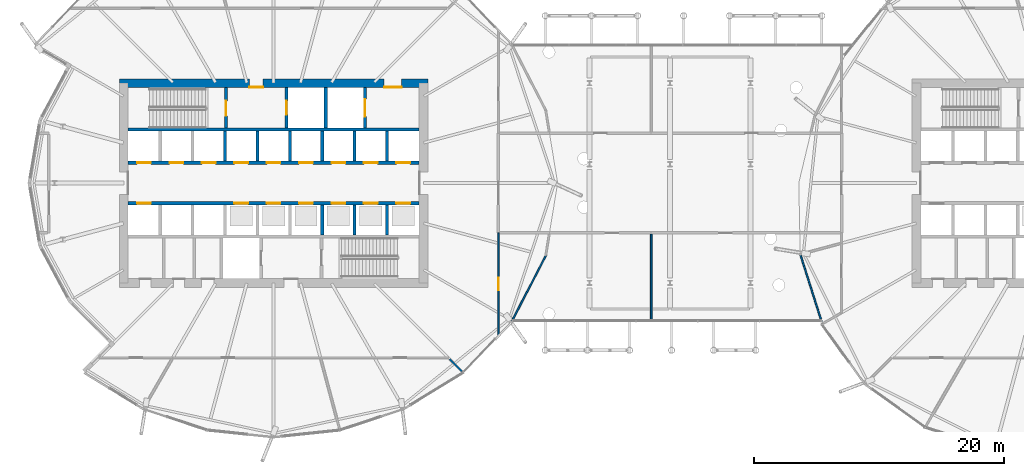
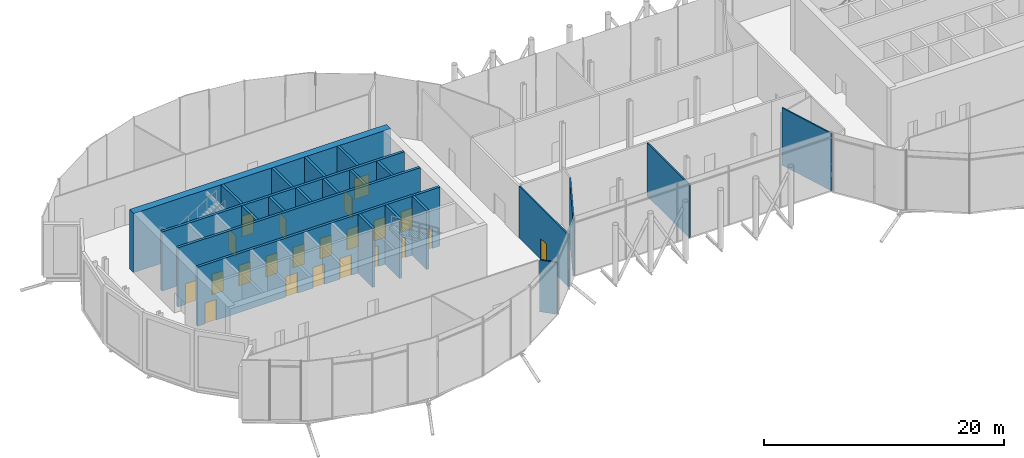
# One storey, part 20 of 38: 22 doors, 22 walls, 22 openings.
"""IFC4 building model written with IfcOpenShell, lengths in metres."""

from ifc_helpers import new_model, si_unit, direction, frame, frame_2d, origin, place, context, subcontext, project, spatial, rectangle, extrude, material, layer, layer_set, type_object, element, fill, save


model = new_model("IFC4")

# Units and contexts
model_context = context("Model", 3, precision=1e-05, world=origin(), true_north=direction((0.0, 1.0)))
body_context = subcontext(model_context, "Body", "Model", "MODEL_VIEW")
ifc_project = project(units=[si_unit("LENGTHUNIT", "METRE"), si_unit("AREAUNIT", "SQUARE_METRE"), si_unit("VOLUMEUNIT", "CUBIC_METRE"), si_unit("PLANEANGLEUNIT", "RADIAN"), si_unit("MASSUNIT", "GRAM", prefix="KILO")], contexts=[model_context])

# Site, building, storey
site_placement = place(None, origin())
site = spatial("IfcSite", under=ifc_project, at=site_placement, CompositionType="ELEMENT")
building_placement = place(site_placement, origin())
building = spatial("IfcBuilding", under=site, at=building_placement, Name="Rimbun Link Towers", CompositionType="ELEMENT")
storey_placement = place(building_placement, frame((0.0, 0.0, 133.199951171875)))
storey = spatial("IfcBuildingStorey", under=building, at=storey_placement, Name="L32", CompositionType="ELEMENT", Elevation=133.199951171875)

# Wall, openings, doors
ifc_material_1 = material(Name="Concrete C60/75", Category="concrete")
ifc_layer_1 = layer(ifc_material_1, 0.699951171875)
ifc_layer_set_1 = layer_set([ifc_layer_1], Name="Core shear wall 700")
wall_type_1 = type_object("IfcWallType", Name="Core shear wall 700", PredefinedType="SHEAR", material=ifc_layer_set_1)
wall_1_placement = place(storey_placement, frame((-44.10009765625, 8.0, 0.0), z_axis=(0.0, 0.0, 1.0), x_axis=(1.0, 0.0, 0.0)))
wall_1 = element("IfcWall", 1, at=wall_1_placement, inside=storey, type_object=wall_type_1, Name="L32 T1 core wall N", PredefinedType="SHEAR", context=body_context, shape_type="SweptSolid", body=[
    extrude(rectangle(XDim=24.7001953125, YDim=0.699951171875, at=frame_2d((12.35009765625, 0.0))), origin(), (0.0, 0.0, 1.0), 6.0),
])
opening_1_placement = place(wall_1_placement, frame((10.39990234375, 0.0, 0.0)))
opening_1 = element("IfcOpeningElement", 2, at=opening_1_placement, cuts=wall_1, Name="Opening C1DCF01N", PredefinedType="OPENING", context=body_context, shape_type="SweptSolid", body=[
    extrude(rectangle(XDim=1.10009765625, YDim=2.10009765625, at=frame_2d((0.550048828125, 1.050048828125))), frame((0.0, 0.35986328125, 0.0), z_axis=(0.0, -1.0, 0.0), x_axis=(1.0, 0.0, 0.0)), (0.0, 0.0, 1.0), 0.719970703125),
])
opening_2_placement = place(wall_1_placement, frame((21.199951171875, 0.0, 0.0)))
opening_2 = element("IfcOpeningElement", 3, at=opening_2_placement, cuts=wall_1, Name="Opening C1DSL02N", PredefinedType="OPENING", context=body_context, shape_type="SweptSolid", body=[
    extrude(rectangle(XDim=1.39990234375, YDim=2.10009765625, at=frame_2d((0.699951171875, 1.050048828125))), frame((0.0, 0.35986328125, 0.0), z_axis=(0.0, -1.0, 0.0), x_axis=(1.0, 0.0, 0.0)), (0.0, 0.0, 1.0), 0.719970703125),
])
ifc_material_2 = material(Name="Steel fire door set", Category="steel")
door_type_1 = type_object("IfcDoorType", Name="Core fire door single", OperationType="SINGLE_SWING_LEFT", PredefinedType="DOOR", material=ifc_material_2)
door_1_placement = place(opening_1_placement, origin())
door_1 = element("IfcDoor", 4, at=door_1_placement, inside=storey, type_object=door_type_1, Name="L32 T1 firefighting lobby n door", OperationType="SINGLE_SWING_LEFT", OverallHeight=2.10009765625, OverallWidth=1.10009765625, PredefinedType="DOOR", context=body_context, shape_type="SweptSolid", body=[
    extrude(rectangle(XDim=1.10009765625, YDim=2.10009765625, at=frame_2d((0.550048828125, 1.050048828125))), frame((0.0, -0.2998046875, 0.0), z_axis=(0.0, -1.0, 0.0), x_axis=(1.0, 0.0, 0.0)), (0.0, 0.0, 1.0), 0.050048828125),
])
fill(opening_1, door_1)
ifc_material_3 = material(Name="Steel fire door set", Category="steel")
door_type_2 = type_object("IfcDoorType", Name="Service lobby door double", OperationType="DOUBLE_DOOR_SINGLE_SWING", PredefinedType="DOOR", material=ifc_material_3)
door_2_placement = place(opening_2_placement, origin())
door_2 = element("IfcDoor", 5, at=door_2_placement, inside=storey, type_object=door_type_2, Name="L32 T1 service lobby door", OperationType="DOUBLE_DOOR_SINGLE_SWING", OverallHeight=2.10009765625, OverallWidth=1.39990234375, PredefinedType="DOOR", context=body_context, shape_type="SweptSolid", body=[
    extrude(rectangle(XDim=1.39990234375, YDim=2.10009765625, at=frame_2d((0.699951171875, 1.050048828125))), frame((0.0, -0.2998046875, 0.0), z_axis=(0.0, -1.0, 0.0), x_axis=(1.0, 0.0, 0.0)), (0.0, 0.0, 1.0), 0.050048828125),
])
fill(opening_2, door_2)

# Wall
ifc_material_4 = material(Name="Gypsum board on steel studs", Category="steel")
ifc_layer_2 = layer(ifc_material_4, 0.125)
ifc_layer_set_2 = layer_set([ifc_layer_2], Name="Partition 125 board on studs")
wall_type_2 = type_object("IfcWallType", Name="Partition 125 board on studs", PredefinedType="PARTITIONING", material=ifc_layer_set_2)
wall_2_placement = place(storey_placement, frame((-17.643310546875, -14.106689453125, 0.0), z_axis=(0.0, 0.0, 1.0), x_axis=(0.707106781187, -0.707106781187, 0.0)))
element("IfcWall", 6, at=wall_2_placement, inside=storey, type_object=wall_type_2, Name="TW/PW/L32/012", PredefinedType="PARTITIONING", context=body_context, shape_type="SweptSolid", body=[
    extrude(rectangle(XDim=1.4814453125, YDim=0.125, at=frame_2d((0.74072265625, 0.0))), origin(), (0.0, 0.0, 1.0), 5.26708984375),
])

# Wall, opening, door
wall_3_placement = place(storey_placement, frame((-13.75, -12.185791015625, 0.0), z_axis=(0.0, 0.0, 1.0), x_axis=(0.0, 1.0, 0.0)))
wall_3 = element("IfcWall", 7, at=wall_3_placement, inside=storey, type_object=wall_type_2, Name="TW/PW/L32/013", PredefinedType="PARTITIONING", context=body_context, shape_type="SweptSolid", body=[
    extrude(rectangle(XDim=8.185791015625, YDim=0.125, at=frame_2d((4.0927734375, 0.0))), origin(), (0.0, 0.0, 1.0), 5.26708984375),
])
opening_3_placement = place(wall_3_placement, frame((3.593017578125, 0.0, 0.0)))
opening_3 = element("IfcOpeningElement", 8, at=opening_3_placement, cuts=wall_3, Name="Opening TW D32.04", PredefinedType="OPENING", context=body_context, shape_type="SweptSolid", body=[
    extrude(rectangle(XDim=1.0, YDim=2.10009765625, at=frame_2d((0.5, 1.050048828125))), frame((0.0, 0.072509765625, 0.0), z_axis=(0.0, -1.0, 0.0), x_axis=(1.0, 0.0, 0.0)), (0.0, 0.0, 1.0), 0.14501953125),
])
ifc_material_5 = material(Name="Timber door set", Category="wood")
door_type_3 = type_object("IfcDoorType", Name="Door single leaf 1000 x 2100", OperationType="NOTDEFINED", PredefinedType="DOOR", material=ifc_material_5)
door_3_placement = place(opening_3_placement, origin())
door_3 = element("IfcDoor", 9, at=door_3_placement, inside=storey, type_object=door_type_3, Name="TW/DR/L32/004", OperationType="SINGLE_SWING_LEFT", OverallHeight=2.10009765625, OverallWidth=1.0, PredefinedType="DOOR", context=body_context, shape_type="SweptSolid", body=[
    extrude(rectangle(XDim=1.0, YDim=2.10009765625, at=frame_2d((0.5, 1.050048828125))), frame((0.0, 0.02490234375, 0.0), z_axis=(0.0, -1.0, 0.0), x_axis=(1.0, 0.0, 0.0)), (0.0, 0.0, 1.0), 0.050048828125),
])
fill(opening_3, door_3)

# Walls
wall_4_placement = place(storey_placement, frame((-12.663818359375, -11.071044921875, 0.0), z_axis=(0.0, 0.0, 1.0), x_axis=(0.459568637938, 0.888142256074, 0.0)))
element("IfcWall", 10, at=wall_4_placement, inside=storey, type_object=wall_type_2, Name="TW/PW/L32/022", PredefinedType="PARTITIONING", context=body_context, shape_type="SweptSolid", body=[
    extrude(rectangle(XDim=5.970703125, YDim=0.125, at=frame_2d((2.9853515625, 0.0))), origin(), (0.0, 0.0, 1.0), 5.820068359375),
])
wall_5_placement = place(storey_placement, frame((10.458984375, -5.772705078125, 0.0), z_axis=(0.0, 0.0, 1.0), x_axis=(0.303049740081, -0.952974739978, 0.0)))
element("IfcWall", 11, at=wall_5_placement, inside=storey, type_object=wall_type_2, Name="TW/PW/L32/043", PredefinedType="PARTITIONING", context=body_context, shape_type="SweptSolid", body=[
    extrude(rectangle(XDim=5.565185546875, YDim=0.125, at=frame_2d((2.78271484375, 0.0))), origin(), (0.0, 0.0, 1.0), 5.820068359375),
])
wall_6_placement = place(storey_placement, frame((-1.5, -11.080078125, 0.0), z_axis=(0.0, 0.0, 1.0), x_axis=(0.0, 1.0, 0.0)))
element("IfcWall", 12, at=wall_6_placement, inside=storey, type_object=wall_type_2, Name="TW/PW/L32/051", PredefinedType="PARTITIONING", context=body_context, shape_type="SweptSolid", body=[
    extrude(rectangle(XDim=6.97998046875, YDim=0.125, at=frame_2d((3.489990234375, 0.0))), origin(), (0.0, 0.0, 1.0), 5.4140625),
])
ifc_material_6 = material(Name="Concrete C60/75", Category="concrete")
ifc_layer_3 = layer(ifc_material_6, 0.25)
ifc_layer_set_3 = layer_set([ifc_layer_3], Name="Shaft wall 250")
wall_type_3 = type_object("IfcWallType", Name="Shaft wall 250", PredefinedType="SHEAR", material=ifc_layer_set_3)
wall_7_placement = place(storey_placement, frame((-43.39990234375, 4.27490234375, 0.0), z_axis=(0.0, 0.0, 1.0), x_axis=(1.0, 0.0, 0.0)))
element("IfcWall", 13, at=wall_7_placement, inside=storey, type_object=wall_type_3, Name="L32 T1 core wall BN", PredefinedType="SHEAR", context=body_context, shape_type="SweptSolid", body=[
    extrude(rectangle(XDim=23.2998046875, YDim=0.25, at=frame_2d((11.64990234375, 0.0))), origin(), (0.0, 0.0, 1.0), 6.0),
])

# Wall, openings, doors
wall_8_placement = place(storey_placement, frame((-43.39990234375, 1.625, 0.0), z_axis=(0.0, 0.0, 1.0), x_axis=(1.0, 0.0, 0.0)))
wall_8 = element("IfcWall", 14, at=wall_8_placement, inside=storey, type_object=wall_type_3, Name="L32 T1 core wall FN", PredefinedType="SHEAR", context=body_context, shape_type="SweptSolid", body=[
    extrude(rectangle(XDim=23.2998046875, YDim=0.25, at=frame_2d((11.64990234375, 0.0))), origin(), (0.0, 0.0, 1.0), 6.0),
])
opening_4_placement = place(wall_8_placement, frame((0.72216796875, 0.0, 0.0)))
opening_4 = element("IfcOpeningElement", 15, at=opening_4_placement, cuts=wall_8, Name="Opening LD-T1-LR1", PredefinedType="OPENING", context=body_context, shape_type="SweptSolid", body=[
    extrude(rectangle(XDim=1.10009765625, YDim=2.10009765625, at=frame_2d((0.550048828125, 1.050048828125))), frame((0.0, 0.135009765625, 0.0), z_axis=(0.0, -1.0, 0.0), x_axis=(1.0, 0.0, 0.0)), (0.0, 0.0, 1.0), 0.27001953125),
])
opening_5_placement = place(wall_8_placement, frame((3.316650390625, 0.0, 0.0)))
opening_5 = element("IfcOpeningElement", 16, at=opening_5_placement, cuts=wall_8, Name="Opening LD-T1-LR2", PredefinedType="OPENING", context=body_context, shape_type="SweptSolid", body=[
    extrude(rectangle(XDim=1.10009765625, YDim=2.10009765625, at=frame_2d((0.550048828125, 1.050048828125))), frame((0.0, 0.135009765625, 0.0), z_axis=(0.0, -1.0, 0.0), x_axis=(1.0, 0.0, 0.0)), (0.0, 0.0, 1.0), 0.27001953125),
])
opening_6_placement = place(wall_8_placement, frame((5.9111328125, 0.0, 0.0)))
opening_6 = element("IfcOpeningElement", 17, at=opening_6_placement, cuts=wall_8, Name="Opening LD-T1-LR3", PredefinedType="OPENING", context=body_context, shape_type="SweptSolid", body=[
    extrude(rectangle(XDim=1.10009765625, YDim=2.10009765625, at=frame_2d((0.550048828125, 1.050048828125))), frame((0.0, 0.135009765625, 0.0), z_axis=(0.0, -1.0, 0.0), x_axis=(1.0, 0.0, 0.0)), (0.0, 0.0, 1.0), 0.27001953125),
])
opening_7_placement = place(wall_8_placement, frame((8.505615234375, 0.0, 0.0)))
opening_7 = element("IfcOpeningElement", 18, at=opening_7_placement, cuts=wall_8, Name="Opening LD-T1-LR4", PredefinedType="OPENING", context=body_context, shape_type="SweptSolid", body=[
    extrude(rectangle(XDim=1.10009765625, YDim=2.10009765625, at=frame_2d((0.550048828125, 1.050048828125))), frame((0.0, 0.135009765625, 0.0), z_axis=(0.0, -1.0, 0.0), x_axis=(1.0, 0.0, 0.0)), (0.0, 0.0, 1.0), 0.27001953125),
])
opening_8_placement = place(wall_8_placement, frame((11.10009765625, 0.0, 0.0)))
opening_8 = element("IfcOpeningElement", 19, at=opening_8_placement, cuts=wall_8, Name="Opening LD-T1-LR5", PredefinedType="OPENING", context=body_context, shape_type="SweptSolid", body=[
    extrude(rectangle(XDim=1.10009765625, YDim=2.10009765625, at=frame_2d((0.550048828125, 1.050048828125))), frame((0.0, 0.135009765625, 0.0), z_axis=(0.0, -1.0, 0.0), x_axis=(1.0, 0.0, 0.0)), (0.0, 0.0, 1.0), 0.27001953125),
])
opening_9_placement = place(wall_8_placement, frame((13.6943359375, 0.0, 0.0)))
opening_9 = element("IfcOpeningElement", 20, at=opening_9_placement, cuts=wall_8, Name="Opening LD-T1-LR6", PredefinedType="OPENING", context=body_context, shape_type="SweptSolid", body=[
    extrude(rectangle(XDim=1.10009765625, YDim=2.10009765625, at=frame_2d((0.550048828125, 1.050048828125))), frame((0.0, 0.135009765625, 0.0), z_axis=(0.0, -1.0, 0.0), x_axis=(1.0, 0.0, 0.0)), (0.0, 0.0, 1.0), 0.27001953125),
])
opening_10_placement = place(wall_8_placement, frame((16.288818359375, 0.0, 0.0)))
opening_10 = element("IfcOpeningElement", 21, at=opening_10_placement, cuts=wall_8, Name="Opening LD-T1-SH1", PredefinedType="OPENING", context=body_context, shape_type="SweptSolid", body=[
    extrude(rectangle(XDim=1.10009765625, YDim=2.10009765625, at=frame_2d((0.550048828125, 1.050048828125))), frame((0.0, 0.135009765625, 0.0), z_axis=(0.0, -1.0, 0.0), x_axis=(1.0, 0.0, 0.0)), (0.0, 0.0, 1.0), 0.27001953125),
])
opening_11_placement = place(wall_8_placement, frame((18.88330078125, 0.0, 0.0)))
opening_11 = element("IfcOpeningElement", 22, at=opening_11_placement, cuts=wall_8, Name="Opening LD-T1-SH2", PredefinedType="OPENING", context=body_context, shape_type="SweptSolid", body=[
    extrude(rectangle(XDim=1.10009765625, YDim=2.10009765625, at=frame_2d((0.550048828125, 1.050048828125))), frame((0.0, 0.135009765625, 0.0), z_axis=(0.0, -1.0, 0.0), x_axis=(1.0, 0.0, 0.0)), (0.0, 0.0, 1.0), 0.27001953125),
])
opening_12_placement = place(wall_8_placement, frame((21.477783203125, 0.0, 0.0)))
opening_12 = element("IfcOpeningElement", 23, at=opening_12_placement, cuts=wall_8, Name="Opening LD-T1-SH3", PredefinedType="OPENING", context=body_context, shape_type="SweptSolid", body=[
    extrude(rectangle(XDim=1.10009765625, YDim=2.10009765625, at=frame_2d((0.550048828125, 1.050048828125))), frame((0.0, 0.135009765625, 0.0), z_axis=(0.0, -1.0, 0.0), x_axis=(1.0, 0.0, 0.0)), (0.0, 0.0, 1.0), 0.27001953125),
])
ifc_material_7 = material(Name="Stainless steel grade 316", Category="steel")
door_type_4 = type_object("IfcDoorType", Name="Lift landing door", OperationType="DOUBLE_DOOR_SLIDING", PredefinedType="DOOR", material=ifc_material_7)
door_4_placement = place(opening_4_placement, origin())
door_4 = element("IfcDoor", 24, at=door_4_placement, inside=storey, type_object=door_type_4, Name="L32 T1 lift LR1 landing door", OperationType="DOUBLE_DOOR_SLIDING", OverallHeight=2.10009765625, OverallWidth=1.10009765625, PredefinedType="DOOR", context=body_context, shape_type="SweptSolid", body=[
    extrude(rectangle(XDim=1.10009765625, YDim=2.10009765625, at=frame_2d((0.550048828125, 1.050048828125))), frame((0.0, 0.02490234375, 0.0), z_axis=(0.0, -1.0, 0.0), x_axis=(1.0, 0.0, 0.0)), (0.0, 0.0, 1.0), 0.050048828125),
])
fill(opening_4, door_4)
door_5_placement = place(opening_5_placement, origin())
door_5 = element("IfcDoor", 25, at=door_5_placement, inside=storey, type_object=door_type_4, Name="L32 T1 lift LR2 landing door", OperationType="DOUBLE_DOOR_SLIDING", OverallHeight=2.10009765625, OverallWidth=1.10009765625, PredefinedType="DOOR", context=body_context, shape_type="SweptSolid", body=[
    extrude(rectangle(XDim=1.10009765625, YDim=2.10009765625, at=frame_2d((0.550048828125, 1.050048828125))), frame((0.0, 0.02490234375, 0.0), z_axis=(0.0, -1.0, 0.0), x_axis=(1.0, 0.0, 0.0)), (0.0, 0.0, 1.0), 0.050048828125),
])
fill(opening_5, door_5)
door_6_placement = place(opening_6_placement, origin())
door_6 = element("IfcDoor", 26, at=door_6_placement, inside=storey, type_object=door_type_4, Name="L32 T1 lift LR3 landing door", OperationType="DOUBLE_DOOR_SLIDING", OverallHeight=2.10009765625, OverallWidth=1.10009765625, PredefinedType="DOOR", context=body_context, shape_type="SweptSolid", body=[
    extrude(rectangle(XDim=1.10009765625, YDim=2.10009765625, at=frame_2d((0.550048828125, 1.050048828125))), frame((0.0, 0.02490234375, 0.0), z_axis=(0.0, -1.0, 0.0), x_axis=(1.0, 0.0, 0.0)), (0.0, 0.0, 1.0), 0.050048828125),
])
fill(opening_6, door_6)
door_7_placement = place(opening_7_placement, origin())
door_7 = element("IfcDoor", 27, at=door_7_placement, inside=storey, type_object=door_type_4, Name="L32 T1 lift LR4 landing door", OperationType="DOUBLE_DOOR_SLIDING", OverallHeight=2.10009765625, OverallWidth=1.10009765625, PredefinedType="DOOR", context=body_context, shape_type="SweptSolid", body=[
    extrude(rectangle(XDim=1.10009765625, YDim=2.10009765625, at=frame_2d((0.550048828125, 1.050048828125))), frame((0.0, 0.02490234375, 0.0), z_axis=(0.0, -1.0, 0.0), x_axis=(1.0, 0.0, 0.0)), (0.0, 0.0, 1.0), 0.050048828125),
])
fill(opening_7, door_7)
door_8_placement = place(opening_8_placement, origin())
door_8 = element("IfcDoor", 28, at=door_8_placement, inside=storey, type_object=door_type_4, Name="L32 T1 lift LR5 landing door", OperationType="DOUBLE_DOOR_SLIDING", OverallHeight=2.10009765625, OverallWidth=1.10009765625, PredefinedType="DOOR", context=body_context, shape_type="SweptSolid", body=[
    extrude(rectangle(XDim=1.10009765625, YDim=2.10009765625, at=frame_2d((0.550048828125, 1.050048828125))), frame((0.0, 0.02490234375, 0.0), z_axis=(0.0, -1.0, 0.0), x_axis=(1.0, 0.0, 0.0)), (0.0, 0.0, 1.0), 0.050048828125),
])
fill(opening_8, door_8)
door_9_placement = place(opening_9_placement, origin())
door_9 = element("IfcDoor", 29, at=door_9_placement, inside=storey, type_object=door_type_4, Name="L32 T1 lift LR6 landing door", OperationType="DOUBLE_DOOR_SLIDING", OverallHeight=2.10009765625, OverallWidth=1.10009765625, PredefinedType="DOOR", context=body_context, shape_type="SweptSolid", body=[
    extrude(rectangle(XDim=1.10009765625, YDim=2.10009765625, at=frame_2d((0.550048828125, 1.050048828125))), frame((0.0, 0.02490234375, 0.0), z_axis=(0.0, -1.0, 0.0), x_axis=(1.0, 0.0, 0.0)), (0.0, 0.0, 1.0), 0.050048828125),
])
fill(opening_9, door_9)
door_10_placement = place(opening_10_placement, origin())
door_10 = element("IfcDoor", 30, at=door_10_placement, inside=storey, type_object=door_type_4, Name="L32 T1 lift SH1 landing door", OperationType="DOUBLE_DOOR_SLIDING", OverallHeight=2.10009765625, OverallWidth=1.10009765625, PredefinedType="DOOR", context=body_context, shape_type="SweptSolid", body=[
    extrude(rectangle(XDim=1.10009765625, YDim=2.10009765625, at=frame_2d((0.550048828125, 1.050048828125))), frame((0.0, 0.02490234375, 0.0), z_axis=(0.0, -1.0, 0.0), x_axis=(1.0, 0.0, 0.0)), (0.0, 0.0, 1.0), 0.050048828125),
])
fill(opening_10, door_10)
door_11_placement = place(opening_11_placement, origin())
door_11 = element("IfcDoor", 31, at=door_11_placement, inside=storey, type_object=door_type_4, Name="L32 T1 lift SH2 landing door", OperationType="DOUBLE_DOOR_SLIDING", OverallHeight=2.10009765625, OverallWidth=1.10009765625, PredefinedType="DOOR", context=body_context, shape_type="SweptSolid", body=[
    extrude(rectangle(XDim=1.10009765625, YDim=2.10009765625, at=frame_2d((0.550048828125, 1.050048828125))), frame((0.0, 0.02490234375, 0.0), z_axis=(0.0, -1.0, 0.0), x_axis=(1.0, 0.0, 0.0)), (0.0, 0.0, 1.0), 0.050048828125),
])
fill(opening_11, door_11)
door_12_placement = place(opening_12_placement, origin())
door_12 = element("IfcDoor", 32, at=door_12_placement, inside=storey, type_object=door_type_4, Name="L32 T1 lift SH3 landing door", OperationType="DOUBLE_DOOR_SLIDING", OverallHeight=2.10009765625, OverallWidth=1.10009765625, PredefinedType="DOOR", context=body_context, shape_type="SweptSolid", body=[
    extrude(rectangle(XDim=1.10009765625, YDim=2.10009765625, at=frame_2d((0.550048828125, 1.050048828125))), frame((0.0, 0.02490234375, 0.0), z_axis=(0.0, -1.0, 0.0), x_axis=(1.0, 0.0, 0.0)), (0.0, 0.0, 1.0), 0.050048828125),
])
fill(opening_12, door_12)

wall_9_placement = place(storey_placement, frame((-43.39990234375, -1.625, 0.0), z_axis=(0.0, 0.0, 1.0), x_axis=(1.0, 0.0, 0.0)))
wall_9 = element("IfcWall", 33, at=wall_9_placement, inside=storey, type_object=wall_type_3, Name="L32 T1 core wall FS", PredefinedType="SHEAR", context=body_context, shape_type="SweptSolid", body=[
    extrude(rectangle(XDim=23.2998046875, YDim=0.25, at=frame_2d((11.64990234375, 0.0))), origin(), (0.0, 0.0, 1.0), 6.0),
])
opening_13_placement = place(wall_9_placement, frame((0.72216796875, 0.0, 0.0)))
opening_13 = element("IfcOpeningElement", 34, at=opening_13_placement, cuts=wall_9, Name="Opening LD-T1-SH4", PredefinedType="OPENING", context=body_context, shape_type="SweptSolid", body=[
    extrude(rectangle(XDim=1.10009765625, YDim=2.10009765625, at=frame_2d((0.550048828125, 1.050048828125))), frame((0.0, 0.135009765625, 0.0), z_axis=(0.0, -1.0, 0.0), x_axis=(1.0, 0.0, 0.0)), (0.0, 0.0, 1.0), 0.27001953125),
])
opening_14_placement = place(wall_9_placement, frame((8.505615234375, 0.0, 0.0)))
opening_14 = element("IfcOpeningElement", 35, at=opening_14_placement, cuts=wall_9, Name="Opening LD-T1-HR1", PredefinedType="OPENING", context=body_context, shape_type="SweptSolid", body=[
    extrude(rectangle(XDim=1.10009765625, YDim=2.10009765625, at=frame_2d((0.550048828125, 1.050048828125))), frame((0.0, 0.135009765625, 0.0), z_axis=(0.0, -1.0, 0.0), x_axis=(1.0, 0.0, 0.0)), (0.0, 0.0, 1.0), 0.27001953125),
])
opening_15_placement = place(wall_9_placement, frame((11.10009765625, 0.0, 0.0)))
opening_15 = element("IfcOpeningElement", 36, at=opening_15_placement, cuts=wall_9, Name="Opening LD-T1-HR2", PredefinedType="OPENING", context=body_context, shape_type="SweptSolid", body=[
    extrude(rectangle(XDim=1.10009765625, YDim=2.10009765625, at=frame_2d((0.550048828125, 1.050048828125))), frame((0.0, 0.135009765625, 0.0), z_axis=(0.0, -1.0, 0.0), x_axis=(1.0, 0.0, 0.0)), (0.0, 0.0, 1.0), 0.27001953125),
])
opening_16_placement = place(wall_9_placement, frame((13.6943359375, 0.0, 0.0)))
opening_16 = element("IfcOpeningElement", 37, at=opening_16_placement, cuts=wall_9, Name="Opening LD-T1-HR3", PredefinedType="OPENING", context=body_context, shape_type="SweptSolid", body=[
    extrude(rectangle(XDim=1.10009765625, YDim=2.10009765625, at=frame_2d((0.550048828125, 1.050048828125))), frame((0.0, 0.135009765625, 0.0), z_axis=(0.0, -1.0, 0.0), x_axis=(1.0, 0.0, 0.0)), (0.0, 0.0, 1.0), 0.27001953125),
])
opening_17_placement = place(wall_9_placement, frame((16.288818359375, 0.0, 0.0)))
opening_17 = element("IfcOpeningElement", 38, at=opening_17_placement, cuts=wall_9, Name="Opening LD-T1-HR4", PredefinedType="OPENING", context=body_context, shape_type="SweptSolid", body=[
    extrude(rectangle(XDim=1.10009765625, YDim=2.10009765625, at=frame_2d((0.550048828125, 1.050048828125))), frame((0.0, 0.135009765625, 0.0), z_axis=(0.0, -1.0, 0.0), x_axis=(1.0, 0.0, 0.0)), (0.0, 0.0, 1.0), 0.27001953125),
])
opening_18_placement = place(wall_9_placement, frame((18.88330078125, 0.0, 0.0)))
opening_18 = element("IfcOpeningElement", 39, at=opening_18_placement, cuts=wall_9, Name="Opening LD-T1-HR5", PredefinedType="OPENING", context=body_context, shape_type="SweptSolid", body=[
    extrude(rectangle(XDim=1.10009765625, YDim=2.10009765625, at=frame_2d((0.550048828125, 1.050048828125))), frame((0.0, 0.135009765625, 0.0), z_axis=(0.0, -1.0, 0.0), x_axis=(1.0, 0.0, 0.0)), (0.0, 0.0, 1.0), 0.27001953125),
])
opening_19_placement = place(wall_9_placement, frame((21.477783203125, 0.0, 0.0)))
opening_19 = element("IfcOpeningElement", 40, at=opening_19_placement, cuts=wall_9, Name="Opening LD-T1-HR6", PredefinedType="OPENING", context=body_context, shape_type="SweptSolid", body=[
    extrude(rectangle(XDim=1.10009765625, YDim=2.10009765625, at=frame_2d((0.550048828125, 1.050048828125))), frame((0.0, 0.135009765625, 0.0), z_axis=(0.0, -1.0, 0.0), x_axis=(1.0, 0.0, 0.0)), (0.0, 0.0, 1.0), 0.27001953125),
])
door_13_placement = place(opening_13_placement, origin())
door_13 = element("IfcDoor", 41, at=door_13_placement, inside=storey, type_object=door_type_4, Name="L32 T1 lift SH4 landing door", OperationType="DOUBLE_DOOR_SLIDING", OverallHeight=2.10009765625, OverallWidth=1.10009765625, PredefinedType="DOOR", context=body_context, shape_type="SweptSolid", body=[
    extrude(rectangle(XDim=1.10009765625, YDim=2.10009765625, at=frame_2d((0.550048828125, 1.050048828125))), frame((0.0, 0.02490234375, 0.0), z_axis=(0.0, -1.0, 0.0), x_axis=(1.0, 0.0, 0.0)), (0.0, 0.0, 1.0), 0.050048828125),
])
fill(opening_13, door_13)
door_14_placement = place(opening_14_placement, origin())
door_14 = element("IfcDoor", 42, at=door_14_placement, inside=storey, type_object=door_type_4, Name="L32 T1 lift HR1 landing door", OperationType="DOUBLE_DOOR_SLIDING", OverallHeight=2.10009765625, OverallWidth=1.10009765625, PredefinedType="DOOR", context=body_context, shape_type="SweptSolid", body=[
    extrude(rectangle(XDim=1.10009765625, YDim=2.10009765625, at=frame_2d((0.550048828125, 1.050048828125))), frame((0.0, 0.02490234375, 0.0), z_axis=(0.0, -1.0, 0.0), x_axis=(1.0, 0.0, 0.0)), (0.0, 0.0, 1.0), 0.050048828125),
])
fill(opening_14, door_14)
door_15_placement = place(opening_15_placement, origin())
door_15 = element("IfcDoor", 43, at=door_15_placement, inside=storey, type_object=door_type_4, Name="L32 T1 lift HR2 landing door", OperationType="DOUBLE_DOOR_SLIDING", OverallHeight=2.10009765625, OverallWidth=1.10009765625, PredefinedType="DOOR", context=body_context, shape_type="SweptSolid", body=[
    extrude(rectangle(XDim=1.10009765625, YDim=2.10009765625, at=frame_2d((0.550048828125, 1.050048828125))), frame((0.0, 0.02490234375, 0.0), z_axis=(0.0, -1.0, 0.0), x_axis=(1.0, 0.0, 0.0)), (0.0, 0.0, 1.0), 0.050048828125),
])
fill(opening_15, door_15)
door_16_placement = place(opening_16_placement, origin())
door_16 = element("IfcDoor", 44, at=door_16_placement, inside=storey, type_object=door_type_4, Name="L32 T1 lift HR3 landing door", OperationType="DOUBLE_DOOR_SLIDING", OverallHeight=2.10009765625, OverallWidth=1.10009765625, PredefinedType="DOOR", context=body_context, shape_type="SweptSolid", body=[
    extrude(rectangle(XDim=1.10009765625, YDim=2.10009765625, at=frame_2d((0.550048828125, 1.050048828125))), frame((0.0, 0.02490234375, 0.0), z_axis=(0.0, -1.0, 0.0), x_axis=(1.0, 0.0, 0.0)), (0.0, 0.0, 1.0), 0.050048828125),
])
fill(opening_16, door_16)
door_17_placement = place(opening_17_placement, origin())
door_17 = element("IfcDoor", 45, at=door_17_placement, inside=storey, type_object=door_type_4, Name="L32 T1 lift HR4 landing door", OperationType="DOUBLE_DOOR_SLIDING", OverallHeight=2.10009765625, OverallWidth=1.10009765625, PredefinedType="DOOR", context=body_context, shape_type="SweptSolid", body=[
    extrude(rectangle(XDim=1.10009765625, YDim=2.10009765625, at=frame_2d((0.550048828125, 1.050048828125))), frame((0.0, 0.02490234375, 0.0), z_axis=(0.0, -1.0, 0.0), x_axis=(1.0, 0.0, 0.0)), (0.0, 0.0, 1.0), 0.050048828125),
])
fill(opening_17, door_17)
door_18_placement = place(opening_18_placement, origin())
door_18 = element("IfcDoor", 46, at=door_18_placement, inside=storey, type_object=door_type_4, Name="L32 T1 lift HR5 landing door", OperationType="DOUBLE_DOOR_SLIDING", OverallHeight=2.10009765625, OverallWidth=1.10009765625, PredefinedType="DOOR", context=body_context, shape_type="SweptSolid", body=[
    extrude(rectangle(XDim=1.10009765625, YDim=2.10009765625, at=frame_2d((0.550048828125, 1.050048828125))), frame((0.0, 0.02490234375, 0.0), z_axis=(0.0, -1.0, 0.0), x_axis=(1.0, 0.0, 0.0)), (0.0, 0.0, 1.0), 0.050048828125),
])
fill(opening_18, door_18)
door_19_placement = place(opening_19_placement, origin())
door_19 = element("IfcDoor", 47, at=door_19_placement, inside=storey, type_object=door_type_4, Name="L32 T1 lift HR6 landing door", OperationType="DOUBLE_DOOR_SLIDING", OverallHeight=2.10009765625, OverallWidth=1.10009765625, PredefinedType="DOOR", context=body_context, shape_type="SweptSolid", body=[
    extrude(rectangle(XDim=1.10009765625, YDim=2.10009765625, at=frame_2d((0.550048828125, 1.050048828125))), frame((0.0, 0.02490234375, 0.0), z_axis=(0.0, -1.0, 0.0), x_axis=(1.0, 0.0, 0.0)), (0.0, 0.0, 1.0), 0.050048828125),
])
fill(opening_19, door_19)

# Walls
for number, where, z_axis, x_axis, name in (
    (48, (-35.6416015625, 1.75, 0.0), (0.0, 0.0, 1.0), (0.0, 1.0, 0.0), "L32 T1 core wall DN2"),
    (49, (-33.047119140625, 1.75, 0.0), (0.0, 0.0, 1.0), (0.0, 1.0, 0.0), "L32 T1 core wall DN3"),
    (50, (-30.452880859375, 1.75, 0.0), (0.0, 0.0, 1.0), (0.0, 1.0, 0.0), "L32 T1 core wall DN4"),
    (51, (-27.8583984375, 1.75, 0.0), (0.0, 0.0, 1.0), (0.0, 1.0, 0.0), "L32 T1 core wall DN5"),
    (52, (-25.263916015625, 1.75, 0.0), (0.0, 0.0, 1.0), (0.0, 1.0, 0.0), "L32 T1 core wall DN6"),
    (53, (-22.66943359375, 1.75, 0.0), (0.0, 0.0, 1.0), (0.0, 1.0, 0.0), "L32 T1 core wall DN7"),
    (54, (-27.8583984375, -4.14990234375, 0.0), (0.0, 0.0, 1.0), (0.0, 1.0, 0.0), "L32 T1 core wall DS5"),
    (55, (-25.263916015625, -4.14990234375, 0.0), (0.0, 0.0, 1.0), (0.0, 1.0, 0.0), "L32 T1 core wall DS6"),
    (56, (-22.66943359375, -4.14990234375, 0.0), (0.0, 0.0, 1.0), (0.0, 1.0, 0.0), "L32 T1 core wall DS7"),
):
    element("IfcWall", number, at=place(storey_placement, frame(where, z_axis=z_axis, x_axis=x_axis)), inside=storey, type_object=wall_type_3, Name=name, PredefinedType="SHEAR", context=body_context, shape_type="SweptSolid", body=[
        extrude(rectangle(XDim=2.39990234375, YDim=0.25, at=frame_2d((1.199951171875, 0.0))), origin(), (0.0, 0.0, 1.0), 6.0),
    ])

# Wall, opening, door
wall_10_placement = place(storey_placement, frame((-35.574951171875, 4.39990234375, 0.0), z_axis=(0.0, 0.0, 1.0), x_axis=(0.0, 1.0, 0.0)))
wall_10 = element("IfcWall", 57, at=wall_10_placement, inside=storey, type_object=wall_type_3, Name="L32 T1 core wall A1", PredefinedType="SHEAR", context=body_context, shape_type="SweptSolid", body=[
    extrude(rectangle(XDim=3.25, YDim=0.25, at=frame_2d((1.625, 0.0))), origin(), (0.0, 0.0, 1.0), 6.0),
])
opening_20_placement = place(wall_10_placement, frame((0.97509765625, 0.0, 0.0)))
opening_20 = element("IfcOpeningElement", 58, at=opening_20_placement, cuts=wall_10, Name="Opening C1DST01A1", PredefinedType="OPENING", context=body_context, shape_type="SweptSolid", body=[
    extrude(rectangle(XDim=1.199951171875, YDim=2.10009765625, at=frame_2d((0.60009765625, 1.050048828125))), frame((0.0, 0.135009765625, 0.0), z_axis=(0.0, -1.0, 0.0), x_axis=(1.0, 0.0, 0.0)), (0.0, 0.0, 1.0), 0.27001953125),
])
ifc_material_8 = material(Name="Steel fire door set", Category="steel")
door_type_5 = type_object("IfcDoorType", Name="Stair door", OperationType="SINGLE_SWING_LEFT", PredefinedType="DOOR", material=ifc_material_8)
door_20_placement = place(opening_20_placement, origin())
door_20 = element("IfcDoor", 59, at=door_20_placement, inside=storey, type_object=door_type_5, Name="L32 T1 stair a door", OperationType="SINGLE_SWING_LEFT", OverallHeight=2.10009765625, OverallWidth=1.199951171875, PredefinedType="DOOR", context=body_context, shape_type="SweptSolid", body=[
    extrude(rectangle(XDim=1.199951171875, YDim=2.10009765625, at=frame_2d((0.60009765625, 1.050048828125))), frame((0.0, 0.02490234375, 0.0), z_axis=(0.0, -1.0, 0.0), x_axis=(1.0, 0.0, 0.0)), (0.0, 0.0, 1.0), 0.050048828125),
])
fill(opening_20, door_20)

wall_11_placement = place(storey_placement, frame((-30.72509765625, 4.39990234375, 0.0), z_axis=(0.0, 0.0, 1.0), x_axis=(0.0, 1.0, 0.0)))
wall_11 = element("IfcWall", 60, at=wall_11_placement, inside=storey, type_object=wall_type_3, Name="L32 T1 core wall A2", PredefinedType="SHEAR", context=body_context, shape_type="SweptSolid", body=[
    extrude(rectangle(XDim=3.25, YDim=0.25, at=frame_2d((1.625, 0.0))), origin(), (0.0, 0.0, 1.0), 6.0),
])
opening_21_placement = place(wall_11_placement, frame((1.074951171875, 0.0, 0.0)))
opening_21 = element("IfcOpeningElement", 61, at=opening_21_placement, cuts=wall_11, Name="Opening LD-T1-FF1", PredefinedType="OPENING", context=body_context, shape_type="SweptSolid", body=[
    extrude(rectangle(XDim=1.10009765625, YDim=2.10009765625, at=frame_2d((0.550048828125, 1.050048828125))), frame((0.0, 0.135009765625, 0.0), z_axis=(0.0, -1.0, 0.0), x_axis=(1.0, 0.0, 0.0)), (0.0, 0.0, 1.0), 0.27001953125),
])
door_21_placement = place(opening_21_placement, origin())
door_21 = element("IfcDoor", 62, at=door_21_placement, inside=storey, type_object=door_type_4, Name="L32 T1 lift FF1 landing door", OperationType="DOUBLE_DOOR_SLIDING", OverallHeight=2.10009765625, OverallWidth=1.10009765625, PredefinedType="DOOR", context=body_context, shape_type="SweptSolid", body=[
    extrude(rectangle(XDim=1.10009765625, YDim=2.10009765625, at=frame_2d((0.550048828125, 1.050048828125))), frame((0.0, 0.02490234375, 0.0), z_axis=(0.0, -1.0, 0.0), x_axis=(1.0, 0.0, 0.0)), (0.0, 0.0, 1.0), 0.050048828125),
])
fill(opening_21, door_21)

# Wall
wall_12_placement = place(storey_placement, frame((-27.574951171875, 4.39990234375, 0.0), z_axis=(0.0, 0.0, 1.0), x_axis=(0.0, 1.0, 0.0)))
element("IfcWall", 63, at=wall_12_placement, inside=storey, type_object=wall_type_3, Name="L32 T1 core wall A3", PredefinedType="SHEAR", context=body_context, shape_type="SweptSolid", body=[
    extrude(rectangle(XDim=3.25, YDim=0.25, at=frame_2d((1.625, 0.0))), origin(), (0.0, 0.0, 1.0), 6.0),
])

# Wall, opening, door
wall_13_placement = place(storey_placement, frame((-24.425048828125, 4.39990234375, 0.0), z_axis=(0.0, 0.0, 1.0), x_axis=(0.0, 1.0, 0.0)))
wall_13 = element("IfcWall", 64, at=wall_13_placement, inside=storey, type_object=wall_type_3, Name="L32 T1 core wall A4", PredefinedType="SHEAR", context=body_context, shape_type="SweptSolid", body=[
    extrude(rectangle(XDim=3.25, YDim=0.25, at=frame_2d((1.625, 0.0))), origin(), (0.0, 0.0, 1.0), 6.0),
])
opening_22_placement = place(wall_13_placement, frame((0.925048828125, 0.0, 0.0)))
opening_22 = element("IfcOpeningElement", 65, at=opening_22_placement, cuts=wall_13, Name="Opening LD-T1-GL1", PredefinedType="OPENING", context=body_context, shape_type="SweptSolid", body=[
    extrude(rectangle(XDim=1.39990234375, YDim=2.10009765625, at=frame_2d((0.699951171875, 1.050048828125))), frame((0.0, 0.135009765625, 0.0), z_axis=(0.0, -1.0, 0.0), x_axis=(1.0, 0.0, 0.0)), (0.0, 0.0, 1.0), 0.27001953125),
])
ifc_material_9 = material(Name="Stainless steel grade 316", Category="steel")
door_type_6 = type_object("IfcDoorType", Name="Goods lift landing door", OperationType="DOUBLE_DOOR_SLIDING", PredefinedType="DOOR", material=ifc_material_9)
door_22_placement = place(opening_22_placement, origin())
door_22 = element("IfcDoor", 66, at=door_22_placement, inside=storey, type_object=door_type_6, Name="L32 T1 lift GL1 landing door", OperationType="DOUBLE_DOOR_SLIDING", OverallHeight=2.10009765625, OverallWidth=1.39990234375, PredefinedType="DOOR", context=body_context, shape_type="SweptSolid", body=[
    extrude(rectangle(XDim=1.39990234375, YDim=2.10009765625, at=frame_2d((0.699951171875, 1.050048828125))), frame((0.0, 0.02490234375, 0.0), z_axis=(0.0, -1.0, 0.0), x_axis=(1.0, 0.0, 0.0)), (0.0, 0.0, 1.0), 0.050048828125),
])
fill(opening_22, door_22)

save(model, "model.ifc")
